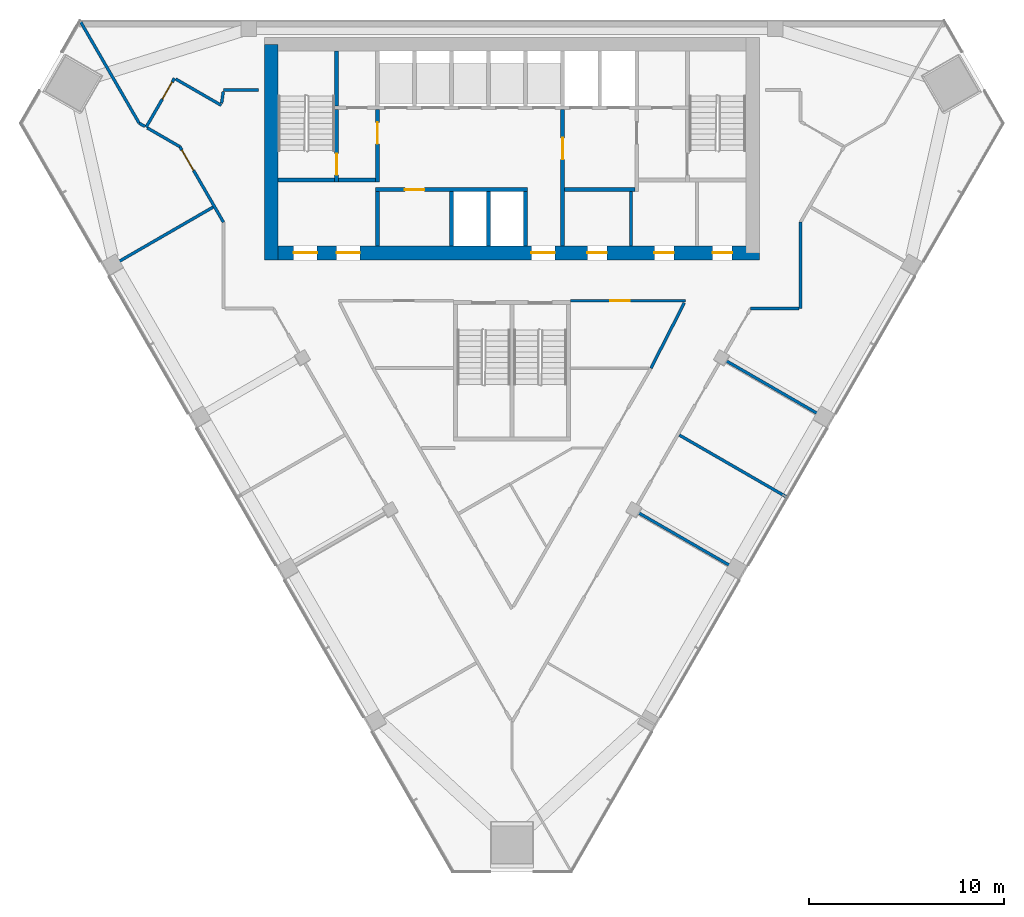
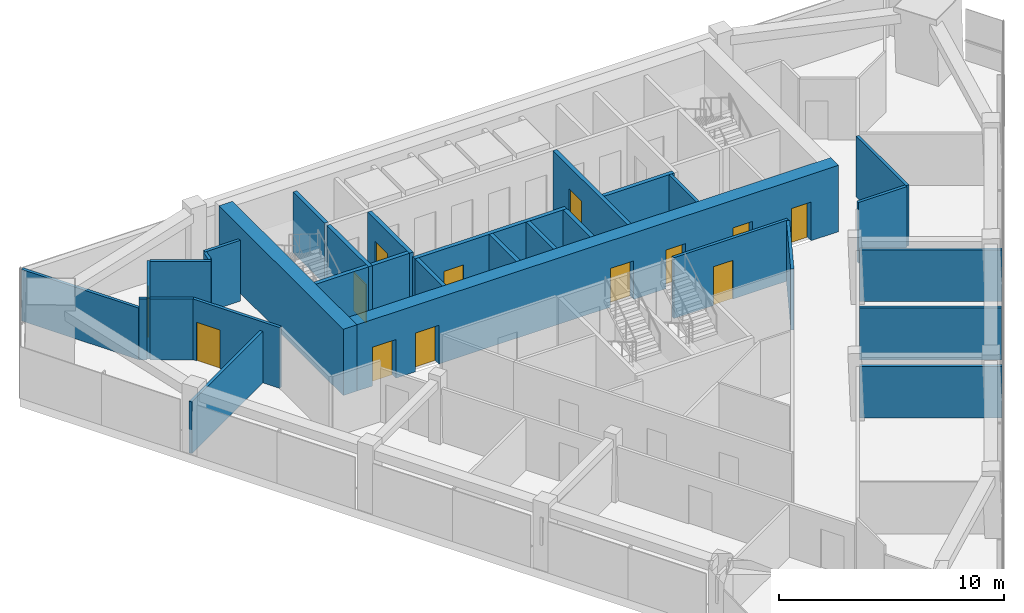
# One storey, part 9 of 13: 31 walls, 13 doors, 13 openings.
"""IFC4 building model written with IfcOpenShell, lengths in metres."""

from ifc_helpers import new_model, si_unit, direction, frame, frame_2d, origin, place, context, subcontext, project, spatial, rectangle, extrude, material, layer, layer_set, type_object, element, fill, save


model = new_model("IFC4")

# Units and contexts
model_context = context("Model", 3, precision=1e-05, world=origin(), true_north=direction((0.0, 1.0)))
body_context = subcontext(model_context, "Body", "Model", "MODEL_VIEW")
ifc_project = project(units=[si_unit("LENGTHUNIT", "METRE"), si_unit("AREAUNIT", "SQUARE_METRE"), si_unit("VOLUMEUNIT", "CUBIC_METRE"), si_unit("PLANEANGLEUNIT", "RADIAN"), si_unit("MASSUNIT", "GRAM", prefix="KILO")], contexts=[model_context])

# Site, building, storey
site_placement = place(None, origin())
site = spatial("IfcSite", under=ifc_project, at=site_placement, CompositionType="ELEMENT")
building_placement = place(site_placement, origin())
building = spatial("IfcBuilding", under=site, at=building_placement, Name="Altiplano Prism Tower", CompositionType="ELEMENT")
storey_placement = place(building_placement, frame((0.0, 0.0, 208.800048828125)))
storey = spatial("IfcBuildingStorey", under=building, at=storey_placement, Name="L54", CompositionType="ELEMENT", Elevation=208.800048828125)

# Wall, openings, doors
ifc_material_1 = material(Name="Concrete C60/75", Category="concrete")
ifc_layer_1 = layer(ifc_material_1, 0.699951171875)
ifc_layer_set_1 = layer_set([ifc_layer_1], Name="Concrete C60/75")
wall_type_1 = type_object("IfcWallType", Name="Core wall 700", PredefinedType="SHEAR", material=ifc_layer_set_1)
wall_1_placement = place(storey_placement, frame((72.64990234375, 93.050048828125, 0.0), z_axis=(0.0, 0.0, 1.0), x_axis=(1.0, 0.0, 0.0)))
wall_1 = element("IfcWall", 1, at=wall_1_placement, inside=storey, type_object=wall_type_1, Name="Core wall S L54", PredefinedType="SHEAR", context=body_context, shape_type="SweptSolid", body=[
    extrude(rectangle(XDim=25.050048828125, YDim=0.699951171875, at=frame_2d((12.52490234375, 0.0))), origin(), (0.0, 0.0, 1.0), 3.599853515625),
])
opening_1_placement = place(wall_1_placement, frame((1.14990234375, 0.0, 0.0)))
opening_1 = element("IfcOpeningElement", 2, at=opening_1_placement, cuts=wall_1, Name="Opening D3332", PredefinedType="OPENING", context=body_context, shape_type="SweptSolid", body=[
    extrude(rectangle(XDim=1.199951171875, YDim=2.10009765625, at=frame_2d((0.60009765625, 1.050048828125))), frame((0.0, 0.3603515625, 0.0), z_axis=(0.0, -1.0, 0.0), x_axis=(1.0, 0.0, 0.0)), (0.0, 0.0, 1.0), 0.720947265625),
])
opening_2_placement = place(wall_1_placement, frame((3.35009765625, 0.0, 0.0)))
opening_2 = element("IfcOpeningElement", 3, at=opening_2_placement, cuts=wall_1, Name="Opening D3333", PredefinedType="OPENING", context=body_context, shape_type="SweptSolid", body=[
    extrude(rectangle(XDim=1.199951171875, YDim=2.10009765625, at=frame_2d((0.60009765625, 1.050048828125))), frame((0.0, 0.3603515625, 0.0), z_axis=(0.0, -1.0, 0.0), x_axis=(1.0, 0.0, 0.0)), (0.0, 0.0, 1.0), 0.720947265625),
])
opening_3_placement = place(wall_1_placement, frame((13.35009765625, 0.0, 0.0)))
opening_3 = element("IfcOpeningElement", 4, at=opening_3_placement, cuts=wall_1, Name="Opening D3334", PredefinedType="OPENING", context=body_context, shape_type="SweptSolid", body=[
    extrude(rectangle(XDim=1.199951171875, YDim=2.10009765625, at=frame_2d((0.60009765625, 1.050048828125))), frame((0.0, 0.3603515625, 0.0), z_axis=(0.0, -1.0, 0.0), x_axis=(1.0, 0.0, 0.0)), (0.0, 0.0, 1.0), 0.720947265625),
])
opening_4_placement = place(wall_1_placement, frame((16.21240234375, 0.0, 0.0)))
opening_4 = element("IfcOpeningElement", 5, at=opening_4_placement, cuts=wall_1, Name="Opening D3337", PredefinedType="OPENING", context=body_context, shape_type="SweptSolid", body=[
    extrude(rectangle(XDim=1.0, YDim=2.10009765625, at=frame_2d((0.5, 1.050048828125))), frame((0.0, 0.3603515625, 0.0), z_axis=(0.0, -1.0, 0.0), x_axis=(1.0, 0.0, 0.0)), (0.0, 0.0, 1.0), 0.720947265625),
])
opening_5_placement = place(wall_1_placement, frame((19.64990234375, 0.0, 0.0)))
opening_5 = element("IfcOpeningElement", 6, at=opening_5_placement, cuts=wall_1, Name="Opening D3338", PredefinedType="OPENING", context=body_context, shape_type="SweptSolid", body=[
    extrude(rectangle(XDim=1.0, YDim=2.10009765625, at=frame_2d((0.5, 1.050048828125))), frame((0.0, 0.3603515625, 0.0), z_axis=(0.0, -1.0, 0.0), x_axis=(1.0, 0.0, 0.0)), (0.0, 0.0, 1.0), 0.720947265625),
])
opening_6_placement = place(wall_1_placement, frame((22.637451171875, 0.0, 0.0)))
opening_6 = element("IfcOpeningElement", 7, at=opening_6_placement, cuts=wall_1, Name="Opening D3339", PredefinedType="OPENING", context=body_context, shape_type="SweptSolid", body=[
    extrude(rectangle(XDim=1.0, YDim=2.10009765625, at=frame_2d((0.5, 1.050048828125))), frame((0.0, 0.3603515625, 0.0), z_axis=(0.0, -1.0, 0.0), x_axis=(1.0, 0.0, 0.0)), (0.0, 0.0, 1.0), 0.720947265625),
])
ifc_material_2 = material(Name="Fire-rated steel door", Category="steel")
door_type_1 = type_object("IfcDoorType", Name="Core room door 1000 x 2100", OperationType="NOTDEFINED", PredefinedType="NOTDEFINED", material=ifc_material_2)
door_1_placement = place(opening_4_placement, origin())
door_1 = element("IfcDoor", 8, at=door_1_placement, inside=storey, type_object=door_type_1, Name="Core room door D3337", OperationType="SINGLE_SWING_RIGHT", OverallHeight=2.10009765625, OverallWidth=1.0, PredefinedType="NOTDEFINED", context=body_context, shape_type="SweptSolid", body=[
    extrude(rectangle(XDim=1.0, YDim=2.10009765625, at=frame_2d((0.5, 1.050048828125))), frame((0.0, 0.02490234375, 0.0), z_axis=(0.0, -1.0, 0.0), x_axis=(1.0, 0.0, 0.0)), (0.0, 0.0, 1.0), 0.050048828125),
])
fill(opening_4, door_1)
door_2_placement = place(opening_5_placement, origin())
door_2 = element("IfcDoor", 9, at=door_2_placement, inside=storey, type_object=door_type_1, Name="Core room door D3338", OperationType="SINGLE_SWING_LEFT", OverallHeight=2.10009765625, OverallWidth=1.0, PredefinedType="NOTDEFINED", context=body_context, shape_type="SweptSolid", body=[
    extrude(rectangle(XDim=1.0, YDim=2.10009765625, at=frame_2d((0.5, 1.050048828125))), frame((0.0, 0.02490234375, 0.0), z_axis=(0.0, -1.0, 0.0), x_axis=(1.0, 0.0, 0.0)), (0.0, 0.0, 1.0), 0.050048828125),
])
fill(opening_5, door_2)
door_3_placement = place(opening_6_placement, origin())
door_3 = element("IfcDoor", 10, at=door_3_placement, inside=storey, type_object=door_type_1, Name="Core room door D3339", OperationType="SINGLE_SWING_RIGHT", OverallHeight=2.10009765625, OverallWidth=1.0, PredefinedType="NOTDEFINED", context=body_context, shape_type="SweptSolid", body=[
    extrude(rectangle(XDim=1.0, YDim=2.10009765625, at=frame_2d((0.5, 1.050048828125))), frame((0.0, 0.02490234375, 0.0), z_axis=(0.0, -1.0, 0.0), x_axis=(1.0, 0.0, 0.0)), (0.0, 0.0, 1.0), 0.050048828125),
])
fill(opening_6, door_3)
door_type_2 = type_object("IfcDoorType", Name="Lobby fire door 1200 x 2100", OperationType="NOTDEFINED", PredefinedType="NOTDEFINED", material=ifc_material_2)
door_4_placement = place(opening_1_placement, origin())
door_4 = element("IfcDoor", 11, at=door_4_placement, inside=storey, type_object=door_type_2, Name="Lobby fire door D3332", OperationType="SINGLE_SWING_RIGHT", OverallHeight=2.10009765625, OverallWidth=1.199951171875, PredefinedType="NOTDEFINED", context=body_context, shape_type="SweptSolid", body=[
    extrude(rectangle(XDim=1.199951171875, YDim=2.10009765625, at=frame_2d((0.60009765625, 1.050048828125))), frame((0.0, 0.02490234375, 0.0), z_axis=(0.0, -1.0, 0.0), x_axis=(1.0, 0.0, 0.0)), (0.0, 0.0, 1.0), 0.050048828125),
])
fill(opening_1, door_4)
door_5_placement = place(opening_2_placement, origin())
door_5 = element("IfcDoor", 12, at=door_5_placement, inside=storey, type_object=door_type_2, Name="Lobby fire door D3333", OperationType="SINGLE_SWING_LEFT", OverallHeight=2.10009765625, OverallWidth=1.199951171875, PredefinedType="NOTDEFINED", context=body_context, shape_type="SweptSolid", body=[
    extrude(rectangle(XDim=1.199951171875, YDim=2.10009765625, at=frame_2d((0.60009765625, 1.050048828125))), frame((0.0, 0.02490234375, 0.0), z_axis=(0.0, -1.0, 0.0), x_axis=(1.0, 0.0, 0.0)), (0.0, 0.0, 1.0), 0.050048828125),
])
fill(opening_2, door_5)
door_6_placement = place(opening_3_placement, origin())
door_6 = element("IfcDoor", 13, at=door_6_placement, inside=storey, type_object=door_type_2, Name="Lobby fire door D3334", OperationType="SINGLE_SWING_RIGHT", OverallHeight=2.10009765625, OverallWidth=1.199951171875, PredefinedType="NOTDEFINED", context=body_context, shape_type="SweptSolid", body=[
    extrude(rectangle(XDim=1.199951171875, YDim=2.10009765625, at=frame_2d((0.60009765625, 1.050048828125))), frame((0.0, 0.02490234375, 0.0), z_axis=(0.0, -1.0, 0.0), x_axis=(1.0, 0.0, 0.0)), (0.0, 0.0, 1.0), 0.050048828125),
])
fill(opening_3, door_6)

# Walls
wall_2_placement = place(storey_placement, frame((72.64990234375, 103.75, 0.0), z_axis=(0.0, 0.0, 1.0), x_axis=(0.0, -1.0, 0.0)))
element("IfcWall", 14, at=wall_2_placement, inside=storey, type_object=wall_type_1, Name="Core wall W L54", PredefinedType="SHEAR", context=body_context, shape_type="SweptSolid", body=[
    extrude(rectangle(XDim=11.050048828125, YDim=0.699951171875, at=frame_2d((5.52490234375, 0.0))), origin(), (0.0, 0.0, 1.0), 3.599853515625),
])
ifc_material_3 = material(Name="Plasterboard on steel stud", Category="steel")
ifc_layer_2 = layer(ifc_material_3, 0.14990234375)
ifc_layer_set_2 = layer_set([ifc_layer_2], Name="Plasterboard on steel stud")
wall_type_2 = type_object("IfcWallType", Name="Partition 150 corridor", PredefinedType="PARTITIONING", material=ifc_layer_set_2)
wall_3_placement = place(storey_placement, frame((66.297119140625, 99.46240234375, 0.0), z_axis=(0.0, 0.0, 1.0), x_axis=(0.866033512162, -0.499985955615, 0.0)))
element("IfcWall", 15, at=wall_3_placement, inside=storey, type_object=wall_type_2, Name="Partition P06 L54 003", PredefinedType="PARTITIONING", context=body_context, shape_type="SweptSolid", body=[
    extrude(rectangle(XDim=1.9248046875, YDim=0.14990234375, at=frame_2d((0.96240234375, 0.0))), origin(), (0.0, 0.0, 1.0), 3.300048828125),
])

# Wall, opening, door
wall_4_placement = place(storey_placement, frame((67.964111328125, 98.5, 0.0), z_axis=(0.0, 0.0, 1.0), x_axis=(0.500002867593, -0.866023748172, 0.0)))
wall_4 = element("IfcWall", 16, at=wall_4_placement, inside=storey, type_object=wall_type_2, Name="Partition P06 L54 004", PredefinedType="PARTITIONING", context=body_context, shape_type="SweptSolid", body=[
    extrude(rectangle(XDim=4.4716796875, YDim=0.14990234375, at=frame_2d((2.23583984375, 0.0))), origin(), (0.0, 0.0, 1.0), 3.300048828125),
])
opening_7_placement = place(wall_4_placement, frame((0.199951171875, 0.0, 0.0)))
opening_7 = element("IfcOpeningElement", 17, at=opening_7_placement, cuts=wall_4, Name="Opening D1853", PredefinedType="OPENING", context=body_context, shape_type="SweptSolid", body=[
    extrude(rectangle(XDim=1.199951171875, YDim=2.10009765625, at=frame_2d((0.60009765625, 1.050048828125))), frame((0.0, 0.08544921875, 0.0), z_axis=(0.0, -1.0, 0.0), x_axis=(1.0, 0.0, 0.0)), (0.0, 0.0, 1.0), 0.1708984375),
])
ifc_material_4 = material(Name="Timber", Category="wood")
door_type_3 = type_object("IfcDoorType", Name="Shared room door 1200 x 2100", OperationType="NOTDEFINED", PredefinedType="NOTDEFINED", material=ifc_material_4)
door_7_placement = place(opening_7_placement, origin())
door_7 = element("IfcDoor", 18, at=door_7_placement, inside=storey, type_object=door_type_3, Name="Door D1853", OperationType="SINGLE_SWING_LEFT", OverallHeight=2.10009765625, OverallWidth=1.199951171875, PredefinedType="NOTDEFINED", context=body_context, shape_type="SweptSolid", body=[
    extrude(rectangle(XDim=1.199951171875, YDim=2.10009765625, at=frame_2d((0.60009765625, 1.050048828125))), frame((0.0, 0.02490234375, 0.0), z_axis=(0.0, -1.0, 0.0), x_axis=(1.0, 0.0, 0.0)), (0.0, 0.0, 1.0), 0.050048828125),
])
fill(opening_7, door_7)

# Walls
wall_5_placement = place(storey_placement, frame((97.243896484375, 90.199951171875, 0.0), z_axis=(0.0, 0.0, 1.0), x_axis=(1.0, 0.0, 0.0)))
element("IfcWall", 19, at=wall_5_placement, inside=storey, type_object=wall_type_2, Name="Partition P06 L54 009", PredefinedType="PARTITIONING", context=body_context, shape_type="SweptSolid", body=[
    extrude(rectangle(XDim=2.481201171875, YDim=0.14990234375, at=frame_2d((1.24072265625, 0.0))), origin(), (0.0, 0.0, 1.0), 3.300048828125),
])
wall_6_placement = place(storey_placement, frame((99.800048828125, 90.199951171875, 0.0), z_axis=(0.0, 0.0, 1.0), x_axis=(0.0, 1.0, 0.0)))
element("IfcWall", 20, at=wall_6_placement, inside=storey, type_object=wall_type_2, Name="Partition P06 L54 010", PredefinedType="PARTITIONING", context=body_context, shape_type="SweptSolid", body=[
    extrude(rectangle(XDim=4.427490234375, YDim=0.14990234375, at=frame_2d((2.2138671875, 0.0))), origin(), (0.0, 0.0, 1.0), 3.300048828125),
])
wall_7_placement = place(storey_placement, frame((72.0, 101.39990234375, 0.0), z_axis=(0.0, 0.0, 1.0), x_axis=(-1.0, 0.0, 0.0)))
element("IfcWall", 21, at=wall_7_placement, inside=storey, type_object=wall_type_2, Name="Partition P06 L54 015", PredefinedType="PARTITIONING", context=body_context, shape_type="SweptSolid", body=[
    extrude(rectangle(XDim=1.800048828125, YDim=0.14990234375, at=frame_2d((0.89990234375, 0.0))), origin(), (0.0, 0.0, 1.0), 3.300048828125),
])
wall_8_placement = place(storey_placement, frame((70.189453125, 101.32666015625, 0.0), z_axis=(0.0, 0.0, 1.0), x_axis=(-0.143925367689, -0.989588545071, 0.0)))
element("IfcWall", 22, at=wall_8_placement, inside=storey, type_object=wall_type_2, Name="Partition P06 L54 016", PredefinedType="PARTITIONING", context=body_context, shape_type="SweptSolid", body=[
    extrude(rectangle(XDim=0.6005859375, YDim=0.14990234375, at=frame_2d((0.30029296875, 0.0))), origin(), (0.0, 0.0, 1.0), 3.300048828125),
])
wall_9_placement = place(storey_placement, frame((70.087158203125, 100.623046875, 0.0), z_axis=(0.0, 0.0, 1.0), x_axis=(-0.866060705498, 0.499938850654, 0.0)))
element("IfcWall", 23, at=wall_9_placement, inside=storey, type_object=wall_type_2, Name="Partition P06 L54 017", PredefinedType="PARTITIONING", context=body_context, shape_type="SweptSolid", body=[
    extrude(rectangle(XDim=2.701904296875, YDim=0.14990234375, at=frame_2d((1.35107421875, 0.0))), origin(), (0.0, 0.0, 1.0), 3.300048828125),
])

# Wall, opening, door
wall_10_placement = place(storey_placement, frame((67.68212890625, 102.011474609375, 0.0), z_axis=(0.0, 0.0, 1.0), x_axis=(-0.499987231761, -0.866032775405, 0.0)))
wall_10 = element("IfcWall", 24, at=wall_10_placement, inside=storey, type_object=wall_type_2, Name="Partition P06 L54 018", PredefinedType="PARTITIONING", context=body_context, shape_type="SweptSolid", body=[
    extrude(rectangle(XDim=2.89990234375, YDim=0.14990234375, at=frame_2d((1.449951171875, 0.0))), origin(), (0.0, 0.0, 1.0), 3.300048828125),
])
opening_8_placement = place(wall_10_placement, frame((0.23388671875, 0.0, 0.0)))
opening_8 = element("IfcOpeningElement", 25, at=opening_8_placement, cuts=wall_10, Name="Opening D1865", PredefinedType="OPENING", context=body_context, shape_type="SweptSolid", body=[
    extrude(rectangle(XDim=1.0, YDim=2.10009765625, at=frame_2d((0.5, 1.050048828125))), frame((0.0, 0.08544921875, 0.0), z_axis=(0.0, -1.0, 0.0), x_axis=(1.0, 0.0, 0.0)), (0.0, 0.0, 1.0), 0.1708984375),
])
door_type_4 = type_object("IfcDoorType", Name="Store door 1000 x 2100", OperationType="NOTDEFINED", PredefinedType="NOTDEFINED", material=ifc_material_4)
door_8_placement = place(opening_8_placement, origin())
door_8 = element("IfcDoor", 26, at=door_8_placement, inside=storey, type_object=door_type_4, Name="Door D1865", OperationType="SINGLE_SWING_LEFT", OverallHeight=2.10009765625, OverallWidth=1.0, PredefinedType="NOTDEFINED", context=body_context, shape_type="SweptSolid", body=[
    extrude(rectangle(XDim=1.0, YDim=2.10009765625, at=frame_2d((0.5, 1.050048828125))), frame((0.0, 0.02490234375, 0.0), z_axis=(0.0, -1.0, 0.0), x_axis=(1.0, 0.0, 0.0)), (0.0, 0.0, 1.0), 0.050048828125),
])
fill(opening_8, door_8)

wall_11_placement = place(storey_placement, frame((88.0, 90.60009765625, 0.0), z_axis=(0.0, 0.0, 1.0), x_axis=(1.0, 0.0, 0.0)))
wall_11 = element("IfcWall", 27, at=wall_11_placement, inside=storey, type_object=wall_type_2, Name="Partition P06 L54 019", PredefinedType="PARTITIONING", context=body_context, shape_type="SweptSolid", body=[
    extrude(rectangle(XDim=5.895263671875, YDim=0.14990234375, at=frame_2d((2.94775390625, 0.0))), origin(), (0.0, 0.0, 1.0), 3.300048828125),
])
opening_9_placement = place(wall_11_placement, frame((2.031982421875, 0.0, 0.0)))
opening_9 = element("IfcOpeningElement", 28, at=opening_9_placement, cuts=wall_11, Name="Opening D1866", PredefinedType="OPENING", context=body_context, shape_type="SweptSolid", body=[
    extrude(rectangle(XDim=1.0, YDim=2.10009765625, at=frame_2d((0.5, 1.050048828125))), frame((0.0, 0.08544921875, 0.0), z_axis=(0.0, -1.0, 0.0), x_axis=(1.0, 0.0, 0.0)), (0.0, 0.0, 1.0), 0.1708984375),
])
door_9_placement = place(opening_9_placement, origin())
door_9 = element("IfcDoor", 29, at=door_9_placement, inside=storey, type_object=door_type_4, Name="Door D1866", OperationType="SINGLE_SWING_LEFT", OverallHeight=2.10009765625, OverallWidth=1.0, PredefinedType="NOTDEFINED", context=body_context, shape_type="SweptSolid", body=[
    extrude(rectangle(XDim=1.0, YDim=2.10009765625, at=frame_2d((0.5, 1.050048828125))), frame((0.0, 0.02490234375, 0.0), z_axis=(0.0, -1.0, 0.0), x_axis=(1.0, 0.0, 0.0)), (0.0, 0.0, 1.0), 0.050048828125),
])
fill(opening_9, door_9)

# Walls
wall_12_placement = place(storey_placement, frame((93.83935546875, 90.490966796875, 0.0), z_axis=(0.0, 0.0, 1.0), x_axis=(-0.454955601071, -0.89051412176, 0.0)))
element("IfcWall", 30, at=wall_12_placement, inside=storey, type_object=wall_type_2, Name="Partition P06 L54 020", PredefinedType="PARTITIONING", context=body_context, shape_type="SweptSolid", body=[
    extrude(rectangle(XDim=3.763427734375, YDim=0.14990234375, at=frame_2d((1.8818359375, 0.0))), origin(), (0.0, 0.0, 1.0), 3.300048828125),
])
ifc_layer_3 = layer(ifc_material_3, 0.14990234375)
ifc_layer_set_3 = layer_set([ifc_layer_3], Name="Plasterboard on steel stud")
wall_type_3 = type_object("IfcWallType", Name="Partition 150 party", PredefinedType="PARTITIONING", material=ifc_layer_set_3)
wall_13_placement = place(storey_placement, frame((64.189453125, 92.238037109375, 0.0), z_axis=(0.0, 0.0, 1.0), x_axis=(0.866042250622, 0.499970819286, 0.0)))
element("IfcWall", 31, at=wall_13_placement, inside=storey, type_object=wall_type_3, Name="Partition P01 L54 030", PredefinedType="PARTITIONING", context=body_context, shape_type="SweptSolid", body=[
    extrude(rectangle(XDim=6.3251953125, YDim=0.14990234375, at=frame_2d((3.16259765625, 0.0))), origin(), (0.0, 0.0, 1.0), 2.800048828125),
])
wall_14_placement = place(storey_placement, frame((66.167236328125, 99.53759765625, 0.0), z_axis=(0.0, 0.0, 1.0), x_axis=(-0.866004557827, 0.500036104519, 0.0)))
element("IfcWall", 32, at=wall_14_placement, inside=storey, type_object=wall_type_3, Name="Partition P01 L54 031", PredefinedType="PARTITIONING", context=body_context, shape_type="SweptSolid", body=[
    extrude(rectangle(XDim=0.3369140625, YDim=0.14990234375, at=frame_2d((0.16845703125, 0.0))), origin(), (0.0, 0.0, 1.0), 3.300048828125),
])
wall_15_placement = place(storey_placement, frame((65.87548828125, 99.7060546875, 0.0), z_axis=(0.0, 0.0, 1.0), x_axis=(-0.500013750211, 0.866017464951, 0.0)))
element("IfcWall", 33, at=wall_15_placement, inside=storey, type_object=wall_type_3, Name="Partition P01 L54 032", PredefinedType="PARTITIONING", context=body_context, shape_type="SweptSolid", body=[
    extrude(rectangle(XDim=5.997314453125, YDim=0.14990234375, at=frame_2d((2.99853515625, 0.0))), origin(), (0.0, 0.0, 1.0), 2.800048828125),
])
for number, where, z_axis, x_axis, name in (
    (34, (96.810546875, 76.6494140625, 0.0), (0.0, 0.0, 1.0), (-0.866025537322, 0.499999768706, 0.0), "Partition P01 L54 039"),
    (35, (99.060546875, 80.546630859375, 0.0), (0.0, 0.0, 1.0), (-0.866042250622, 0.499970819286, 0.0), "Partition P01 L54 040"),
    (36, (101.310546875, 84.443603515625, 0.0), (0.0, 0.0, 1.0), (-0.866025537322, 0.499999768706, 0.0), "Partition P01 L54 041"),
):
    element("IfcWall", number, at=place(storey_placement, frame(where, z_axis=z_axis, x_axis=x_axis)), inside=storey, type_object=wall_type_3, Name=name, PredefinedType="PARTITIONING", context=body_context, shape_type="SweptSolid", body=[
        extrude(rectangle(XDim=6.3251953125, YDim=0.14990234375, at=frame_2d((3.16259765625, 0.0))), origin(), (0.0, 0.0, 1.0), 2.800048828125),
    ])
ifc_material_5 = material(Name="Fire-rated gypsum board partition")
ifc_layer_4 = layer(ifc_material_5, 0.14990234375)
ifc_layer_set_4 = layer_set([ifc_layer_4], Name="Fire-rated gypsum board partition")
wall_type_4 = type_object("IfcWallType", Name="Room partition 150", PredefinedType="PARTITIONING", material=ifc_layer_set_4)
wall_16_placement = place(storey_placement, frame((91.10009765625, 93.39990234375, 0.0), z_axis=(0.0, 0.0, 1.0), x_axis=(0.0, 1.0, 0.0)))
element("IfcWall", 37, at=wall_16_placement, inside=storey, type_object=wall_type_4, Name="Room partition L54", PredefinedType="PARTITIONING", context=body_context, shape_type="SweptSolid", body=[
    extrude(rectangle(XDim=2.800048828125, YDim=0.14990234375, at=frame_2d((1.39990234375, 0.0))), origin(), (0.0, 0.0, 1.0), 3.300048828125),
])
ifc_layer_5 = layer(ifc_material_1, 0.199951171875)
ifc_layer_set_5 = layer_set([ifc_layer_5], Name="Concrete C60/75")
wall_type_5 = type_object("IfcWallType", Name="Shaft wall 200", PredefinedType="SOLIDWALL", material=ifc_layer_set_5)
for number, where, z_axis, x_axis, name in (
    (38, (81.89990234375, 93.39990234375, 0.0), (0.0, 0.0, 1.0), (0.0, 1.0, 0.0), "Shaft wall L54"),
    (39, (83.800048828125, 93.39990234375, 0.0), (0.0, 0.0, 1.0), (0.0, 1.0, 0.0), "Shaft wall L54"),
    (40, (85.699951171875, 93.39990234375, 0.0), (0.0, 0.0, 1.0), (0.0, 1.0, 0.0), "Shaft wall L54"),
):
    element("IfcWall", number, at=place(storey_placement, frame(where, z_axis=z_axis, x_axis=x_axis)), inside=storey, type_object=wall_type_5, Name=name, PredefinedType="SOLIDWALL", context=body_context, shape_type="SweptSolid", body=[
        extrude(rectangle(XDim=2.800048828125, YDim=0.199951171875, at=frame_2d((1.39990234375, 0.0))), origin(), (0.0, 0.0, 1.0), 3.300048828125),
    ])

# Wall, opening, door
wall_17_placement = place(storey_placement, frame((78.0, 96.300048828125, 0.0), z_axis=(0.0, 0.0, 1.0), x_axis=(1.0, 0.0, 0.0)))
wall_17 = element("IfcWall", 41, at=wall_17_placement, inside=storey, type_object=wall_type_5, Name="Shaft wall L54", PredefinedType="SOLIDWALL", context=body_context, shape_type="SweptSolid", body=[
    extrude(rectangle(XDim=7.800048828125, YDim=0.199951171875, at=frame_2d((3.89990234375, 0.0))), origin(), (0.0, 0.0, 1.0), 3.300048828125),
])
opening_10_placement = place(wall_17_placement, frame((1.5, 0.0, 0.0)))
opening_10 = element("IfcOpeningElement", 42, at=opening_10_placement, cuts=wall_17, Name="Opening D3340", PredefinedType="OPENING", context=body_context, shape_type="SweptSolid", body=[
    extrude(rectangle(XDim=1.0, YDim=2.10009765625, at=frame_2d((0.5, 1.050048828125))), frame((0.0, 0.1103515625, 0.0), z_axis=(0.0, -1.0, 0.0), x_axis=(1.0, 0.0, 0.0)), (0.0, 0.0, 1.0), 0.220947265625),
])
door_10_placement = place(opening_10_placement, origin())
door_10 = element("IfcDoor", 43, at=door_10_placement, inside=storey, type_object=door_type_1, Name="Core room door D3340", OperationType="SINGLE_SWING_RIGHT", OverallHeight=2.10009765625, OverallWidth=1.0, PredefinedType="NOTDEFINED", context=body_context, shape_type="SweptSolid", body=[
    extrude(rectangle(XDim=1.0, YDim=2.10009765625, at=frame_2d((0.5, 1.050048828125))), frame((0.0, 0.02490234375, 0.0), z_axis=(0.0, -1.0, 0.0), x_axis=(1.0, 0.0, 0.0)), (0.0, 0.0, 1.0), 0.050048828125),
])
fill(opening_10, door_10)

# Wall
ifc_layer_6 = layer(ifc_material_1, 0.199951171875)
ifc_layer_set_6 = layer_set([ifc_layer_6], Name="Concrete C60/75")
wall_type_6 = type_object("IfcWallType", Name="Stair wall 200", PredefinedType="SOLIDWALL", material=ifc_layer_set_6)
wall_18_placement = place(storey_placement, frame((73.0, 96.800048828125, 0.0), z_axis=(0.0, 0.0, 1.0), x_axis=(1.0, 0.0, 0.0)))
element("IfcWall", 44, at=wall_18_placement, inside=storey, type_object=wall_type_6, Name="Stair wall L54", PredefinedType="SOLIDWALL", context=body_context, shape_type="SweptSolid", body=[
    extrude(rectangle(XDim=2.89990234375, YDim=0.199951171875, at=frame_2d((1.449951171875, 0.0))), origin(), (0.0, 0.0, 1.0), 3.300048828125),
])

# Wall, opening, door
wall_19_placement = place(storey_placement, frame((76.0, 96.699951171875, 0.0), z_axis=(0.0, 0.0, 1.0), x_axis=(0.0, 1.0, 0.0)))
wall_19 = element("IfcWall", 45, at=wall_19_placement, inside=storey, type_object=wall_type_6, Name="Stair wall L54", PredefinedType="SOLIDWALL", context=body_context, shape_type="SweptSolid", body=[
    extrude(rectangle(XDim=3.699951171875, YDim=0.199951171875, at=frame_2d((1.85009765625, 0.0))), origin(), (0.0, 0.0, 1.0), 3.300048828125),
])
opening_11_placement = place(wall_19_placement, frame((0.35009765625, 0.0, 0.0)))
opening_11 = element("IfcOpeningElement", 46, at=opening_11_placement, cuts=wall_19, Name="Opening D3327", PredefinedType="OPENING", context=body_context, shape_type="SweptSolid", body=[
    extrude(rectangle(XDim=1.10009765625, YDim=2.10009765625, at=frame_2d((0.550048828125, 1.050048828125))), frame((0.0, 0.1103515625, 0.0), z_axis=(0.0, -1.0, 0.0), x_axis=(1.0, 0.0, 0.0)), (0.0, 0.0, 1.0), 0.220947265625),
])
door_type_5 = type_object("IfcDoorType", Name="Stair fire door 1100 x 2100", OperationType="NOTDEFINED", PredefinedType="NOTDEFINED", material=ifc_material_2)
door_11_placement = place(opening_11_placement, origin())
door_11 = element("IfcDoor", 47, at=door_11_placement, inside=storey, type_object=door_type_5, Name="Stair fire door D3327", OperationType="SINGLE_SWING_RIGHT", OverallHeight=2.10009765625, OverallWidth=1.10009765625, PredefinedType="NOTDEFINED", context=body_context, shape_type="SweptSolid", body=[
    extrude(rectangle(XDim=1.10009765625, YDim=2.10009765625, at=frame_2d((0.550048828125, 1.050048828125))), frame((0.0, 0.02490234375, 0.0), z_axis=(0.0, -1.0, 0.0), x_axis=(1.0, 0.0, 0.0)), (0.0, 0.0, 1.0), 0.050048828125),
])
fill(opening_11, door_11)

# Walls
wall_20_placement = place(storey_placement, frame((76.0, 100.60009765625, 0.0), z_axis=(0.0, 0.0, 1.0), x_axis=(0.0, 1.0, 0.0)))
element("IfcWall", 48, at=wall_20_placement, inside=storey, type_object=wall_type_6, Name="Stair wall L54", PredefinedType="SOLIDWALL", context=body_context, shape_type="SweptSolid", body=[
    extrude(rectangle(XDim=2.7998046875, YDim=0.199951171875, at=frame_2d((1.39990234375, 0.0))), origin(), (0.0, 0.0, 1.0), 3.300048828125),
])
ifc_layer_7 = layer(ifc_material_1, 0.199951171875)
ifc_layer_set_7 = layer_set([ifc_layer_7], Name="Concrete C60/75")
wall_type_7 = type_object("IfcWallType", Name="Vestibule wall 200", PredefinedType="PARTITIONING", material=ifc_layer_set_7)
wall_21_placement = place(storey_placement, frame((78.10009765625, 93.39990234375, 0.0), z_axis=(0.0, 0.0, 1.0), x_axis=(0.0, 1.0, 0.0)))
element("IfcWall", 49, at=wall_21_placement, inside=storey, type_object=wall_type_7, Name="Vestibule wall L54", PredefinedType="PARTITIONING", context=body_context, shape_type="SweptSolid", body=[
    extrude(rectangle(XDim=2.800048828125, YDim=0.199951171875, at=frame_2d((1.39990234375, 0.0))), origin(), (0.0, 0.0, 1.0), 3.300048828125),
])

# Wall, opening, door
wall_22_placement = place(storey_placement, frame((87.60009765625, 93.39990234375, 0.0), z_axis=(0.0, 0.0, 1.0), x_axis=(0.0, 1.0, 0.0)))
wall_22 = element("IfcWall", 50, at=wall_22_placement, inside=storey, type_object=wall_type_7, Name="Vestibule wall L54", PredefinedType="PARTITIONING", context=body_context, shape_type="SweptSolid", body=[
    extrude(rectangle(XDim=7.0, YDim=0.199951171875, at=frame_2d((3.5, 0.0))), origin(), (0.0, 0.0, 1.0), 3.300048828125),
])
opening_12_placement = place(wall_22_placement, frame((4.449951171875, 0.0, 0.0)))
opening_12 = element("IfcOpeningElement", 51, at=opening_12_placement, cuts=wall_22, Name="Opening D3330", PredefinedType="OPENING", context=body_context, shape_type="SweptSolid", body=[
    extrude(rectangle(XDim=1.10009765625, YDim=2.10009765625, at=frame_2d((0.550048828125, 1.050048828125))), frame((0.0, 0.1103515625, 0.0), z_axis=(0.0, -1.0, 0.0), x_axis=(1.0, 0.0, 0.0)), (0.0, 0.0, 1.0), 0.220947265625),
])
door_type_6 = type_object("IfcDoorType", Name="Vestibule fire door 1100 x 2100", OperationType="NOTDEFINED", PredefinedType="NOTDEFINED", material=ifc_material_2)
door_12_placement = place(opening_12_placement, origin())
door_12 = element("IfcDoor", 52, at=door_12_placement, inside=storey, type_object=door_type_6, Name="Vestibule fire door D3330", OperationType="SINGLE_SWING_RIGHT", OverallHeight=2.10009765625, OverallWidth=1.10009765625, PredefinedType="NOTDEFINED", context=body_context, shape_type="SweptSolid", body=[
    extrude(rectangle(XDim=1.10009765625, YDim=2.10009765625, at=frame_2d((0.550048828125, 1.050048828125))), frame((0.0, 0.02490234375, 0.0), z_axis=(0.0, -1.0, 0.0), x_axis=(1.0, 0.0, 0.0)), (0.0, 0.0, 1.0), 0.050048828125),
])
fill(opening_12, door_12)

# Walls
wall_23_placement = place(storey_placement, frame((87.699951171875, 96.300048828125, 0.0), z_axis=(0.0, 0.0, 1.0), x_axis=(1.0, 0.0, 0.0)))
element("IfcWall", 53, at=wall_23_placement, inside=storey, type_object=wall_type_7, Name="Vestibule wall L54", PredefinedType="PARTITIONING", context=body_context, shape_type="SweptSolid", body=[
    extrude(rectangle(XDim=3.60009765625, YDim=0.199951171875, at=frame_2d((1.800048828125, 0.0))), origin(), (0.0, 0.0, 1.0), 3.300048828125),
])
wall_24_placement = place(storey_placement, frame((76.10009765625, 96.800048828125, 0.0), z_axis=(0.0, 0.0, 1.0), x_axis=(1.0, 0.0, 0.0)))
element("IfcWall", 54, at=wall_24_placement, inside=storey, type_object=wall_type_7, Name="Vestibule wall L54", PredefinedType="PARTITIONING", context=body_context, shape_type="SweptSolid", body=[
    extrude(rectangle(XDim=1.89990234375, YDim=0.199951171875, at=frame_2d((0.949951171875, 0.0))), origin(), (0.0, 0.0, 1.0), 3.300048828125),
])

# Wall, opening, door
wall_25_placement = place(storey_placement, frame((78.10009765625, 96.699951171875, 0.0), z_axis=(0.0, 0.0, 1.0), x_axis=(0.0, 1.0, 0.0)))
wall_25 = element("IfcWall", 55, at=wall_25_placement, inside=storey, type_object=wall_type_7, Name="Vestibule wall L54", PredefinedType="PARTITIONING", context=body_context, shape_type="SweptSolid", body=[
    extrude(rectangle(XDim=3.699951171875, YDim=0.199951171875, at=frame_2d((1.85009765625, 0.0))), origin(), (0.0, 0.0, 1.0), 3.300048828125),
])
opening_13_placement = place(wall_25_placement, frame((1.949951171875, 0.0, 0.0)))
opening_13 = element("IfcOpeningElement", 56, at=opening_13_placement, cuts=wall_25, Name="Opening D3329", PredefinedType="OPENING", context=body_context, shape_type="SweptSolid", body=[
    extrude(rectangle(XDim=1.10009765625, YDim=2.10009765625, at=frame_2d((0.550048828125, 1.050048828125))), frame((0.0, 0.1103515625, 0.0), z_axis=(0.0, -1.0, 0.0), x_axis=(1.0, 0.0, 0.0)), (0.0, 0.0, 1.0), 0.220947265625),
])
door_13_placement = place(opening_13_placement, origin())
door_13 = element("IfcDoor", 57, at=door_13_placement, inside=storey, type_object=door_type_6, Name="Vestibule fire door D3329", OperationType="SINGLE_SWING_LEFT", OverallHeight=2.10009765625, OverallWidth=1.10009765625, PredefinedType="NOTDEFINED", context=body_context, shape_type="SweptSolid", body=[
    extrude(rectangle(XDim=1.10009765625, YDim=2.10009765625, at=frame_2d((0.550048828125, 1.050048828125))), frame((0.0, 0.02490234375, 0.0), z_axis=(0.0, -1.0, 0.0), x_axis=(1.0, 0.0, 0.0)), (0.0, 0.0, 1.0), 0.050048828125),
])
fill(opening_13, door_13)

save(model, "model.ifc")
